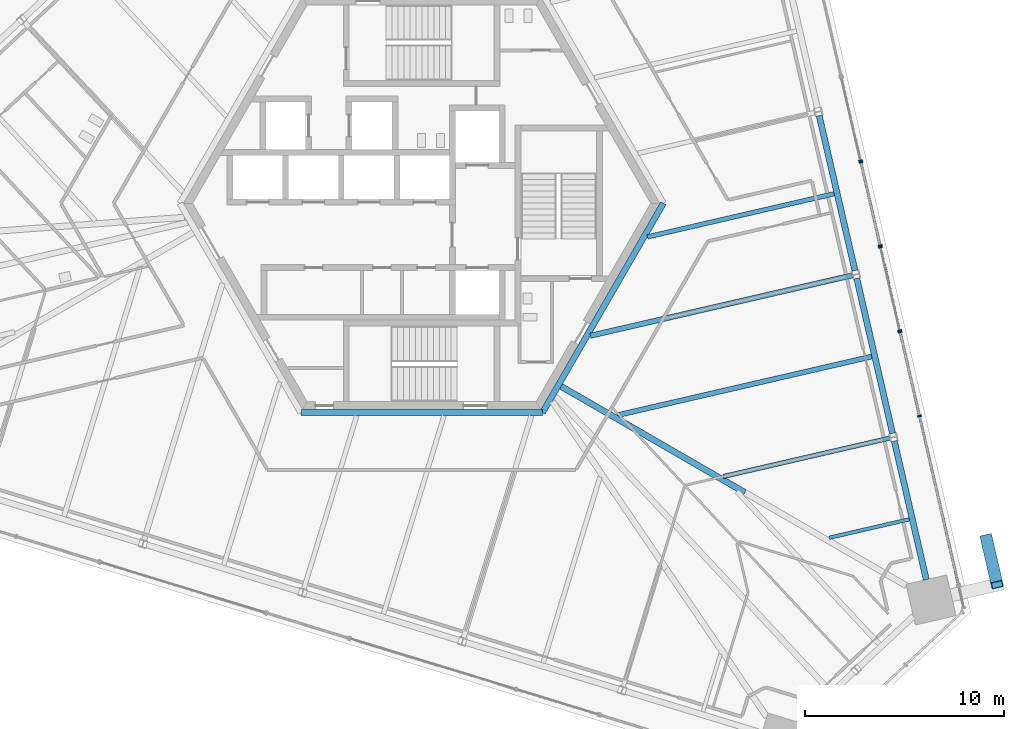
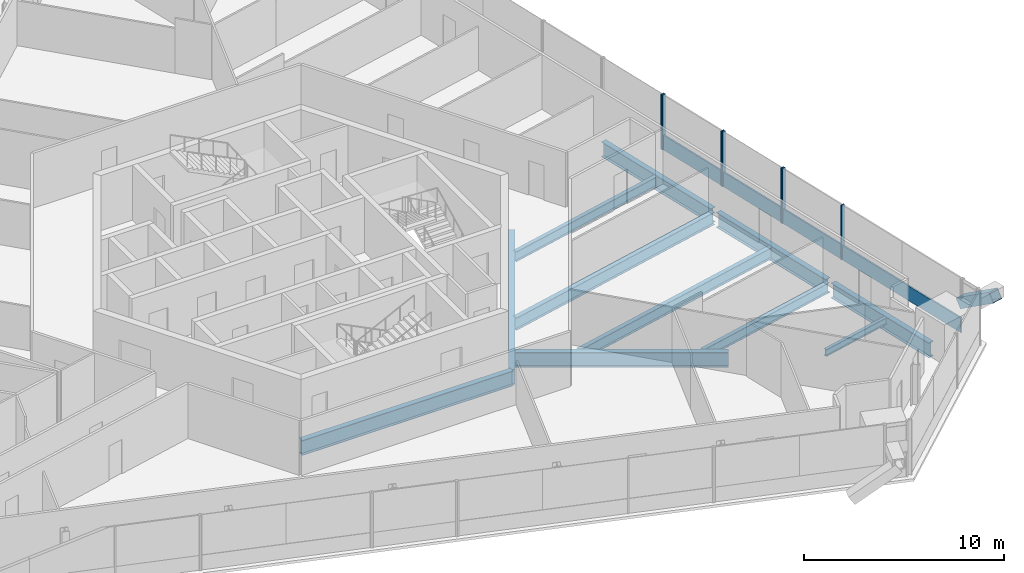
# One storey, part 7 of 25: 12 members, 11 beams, 4 elements without a shape of their own.
"""IFC4 building model written with IfcOpenShell, lengths in metres."""

import ifcopenshell
import ifcopenshell.guid

model = None  # the IFC model being written
_history = None  # IfcOwnerHistory: only IFC2X3 demands one
_inside = {}  # id of a spatial element -> (the spatial element, [elements in it])
_under = {}  # id of a project, library or spatial element -> (it, [spatial elements below it])
_declared = {}  # id of a project -> (the project, [libraries it declares])
_typed = {}  # id of a type object -> (the type object, [elements of that type])
_made_of = {}  # id of a material, layer set ... -> (it, [elements and type objects made of it])


def new_model(schema):
    """Start an empty IFC model of exactly this schema.

    Asked for "IFC4X3", IfcOpenShell would pick the latest addendum, in which some entities
    have other attributes; the version numbers below select the first issue.
    IFC2X3 requires an IfcOwnerHistory on every rooted entity: one is made here for all.
    """
    global model, _history
    if schema == "IFC4X3":
        model = ifcopenshell.file(schema_version=(4, 3, 0, 0))
    else:
        model = ifcopenshell.file(schema=schema)
    _inside.clear()
    _under.clear()
    _declared.clear()
    _typed.clear()
    _made_of.clear()
    _history = None
    if model.schema == "IFC2X3":
        org = make("IfcOrganization", Name="unknown")
        user = make(
            "IfcPersonAndOrganization",
            ThePerson=make("IfcPerson", FamilyName="unknown"),
            TheOrganization=org,
        )
        app = make(
            "IfcApplication",
            ApplicationDeveloper=org,
            Version="unknown",
            ApplicationFullName="unknown",
            ApplicationIdentifier="unknown",
        )
        _history = make(
            "IfcOwnerHistory",
            OwningUser=user,
            OwningApplication=app,
            ChangeAction="ADDED",
            CreationDate=0,
        )
    return model


def make(cls, **values):
    """One entity of the class cls with the attributes given. An attribute that is None is left unset."""
    return model.create_entity(
        cls, **{name: value for name, value in values.items() if value is not None}
    )


def rooted(cls, **values):
    """An entity with a GlobalId (a new one), such as an element, a storey or a relation."""
    return make(cls, GlobalId=ifcopenshell.guid.new(), OwnerHistory=_history, **values)


def si_unit(unit_type, name, prefix=None):
    """IfcSIUnit, for example si_unit("LENGTHUNIT", "METRE", prefix="MILLI")."""
    return make("IfcSIUnit", UnitType=unit_type, Prefix=prefix, Name=name)


def assignment(units):
    """IfcUnitAssignment: the units of a project."""
    return None if units is None else make("IfcUnitAssignment", Units=units)


def point(xyz):
    """IfcCartesianPoint."""
    return None if xyz is None else make("IfcCartesianPoint", Coordinates=xyz)


def direction(xyz):
    """IfcDirection."""
    return None if xyz is None else make("IfcDirection", DirectionRatios=xyz)


def frame(location, z_axis=None, x_axis=None):
    """IfcAxis2Placement3D, a coordinate frame: its origin and axes. An axis left out is left unset."""
    return make(
        "IfcAxis2Placement3D",
        Location=point(location),
        Axis=direction(z_axis),
        RefDirection=direction(x_axis),
    )


def frame_2d(location, x_axis=None):
    """IfcAxis2Placement2D, a coordinate frame in the plane: its origin and x axis."""
    return make(
        "IfcAxis2Placement2D", Location=point(location), RefDirection=direction(x_axis)
    )


def origin():
    """The frame at (0, 0, 0) with its axes left unset."""
    return frame((0.0, 0.0, 0.0))


def origin_2d():
    """The frame at (0, 0) in the plane with its x axis left unset."""
    return frame_2d((0.0, 0.0))


def place(relative_to, where):
    """IfcLocalPlacement: puts the frame where relative to a parent placement (None: the world)."""
    return make(
        "IfcLocalPlacement", PlacementRelTo=relative_to, RelativePlacement=where
    )


def context(
    kind, dimensions, precision=None, world=None, true_north=None, identifier=None
):
    """IfcGeometricRepresentationContext, for example the 3D "Model" context."""
    return make(
        "IfcGeometricRepresentationContext",
        ContextIdentifier=identifier,
        ContextType=kind,
        CoordinateSpaceDimension=dimensions,
        Precision=precision,
        WorldCoordinateSystem=world,
        TrueNorth=true_north,
    )


def subcontext(parent, identifier, kind, view, scale=None):
    """IfcGeometricRepresentationSubContext, for example "Body" below "Model"."""
    return make(
        "IfcGeometricRepresentationSubContext",
        ContextIdentifier=identifier,
        ContextType=kind,
        ParentContext=parent,
        TargetScale=scale,
        TargetView=view,
    )


def project(units=None, contexts=None):
    """IfcProject with its units and contexts."""
    return rooted(
        "IfcProject",
        Name="project",
        RepresentationContexts=contexts,
        UnitsInContext=assignment(units),
    )


def spatial(cls, under=None, at=None, **own):
    """A site, building, storey or space (cls), placed at a placement, below another one or the project."""
    s = rooted(cls, ObjectPlacement=at, **own)
    if under is not None:
        _under.setdefault(under.id(), (under, []))[1].append(s)
    return s


def profile(cls, at=None, kind="AREA", **sizes):
    """A parametric profile (cls). Its sizes go by their IFC names, for example OverallWidth=200.0."""
    return make(cls, ProfileType=kind, Position=at, **sizes)


def rectangle(**sizes):
    """IfcRectangleProfileDef."""
    return profile("IfcRectangleProfileDef", **sizes)


def hollow_rectangle(**sizes):
    """IfcRectangleHollowProfileDef."""
    return profile("IfcRectangleHollowProfileDef", **sizes)


def i_section(**sizes):
    """IfcIShapeProfileDef."""
    return profile("IfcIShapeProfileDef", **sizes)


def extrude(swept, where, along, depth):
    """IfcExtrudedAreaSolid: the profile swept, set in the frame where, extruded along a direction by depth."""
    return make(
        "IfcExtrudedAreaSolid",
        SweptArea=swept,
        Position=where,
        ExtrudedDirection=direction(along),
        Depth=depth,
    )


def shape(context_of_items, identifier, shape_type, items):
    """IfcShapeRepresentation: the items that make up one representation, for example the "Body"."""
    return make(
        "IfcShapeRepresentation",
        ContextOfItems=context_of_items,
        RepresentationIdentifier=identifier,
        RepresentationType=shape_type,
        Items=items,
    )


def source(mapping_origin, context_of_items, identifier, shape_type, items):
    """IfcRepresentationMap: a shape defined once, which mapped items show again and again."""
    return make(
        "IfcRepresentationMap",
        MappingOrigin=mapping_origin,
        MappedRepresentation=shape(context_of_items, identifier, shape_type, items),
    )


def transform(
    local_origin,
    x_axis=None,
    y_axis=None,
    z_axis=None,
    scale=None,
    scale2=None,
    scale3=None,
    uniform=True,
):
    """IfcCartesianTransformationOperator3D, or its non-uniform kind. x_axis, y_axis, z_axis: its Axis1, 2, 3."""
    if uniform:
        return make(
            "IfcCartesianTransformationOperator3D",
            Axis1=direction(x_axis),
            Axis2=direction(y_axis),
            LocalOrigin=point(local_origin),
            Scale=scale,
            Axis3=direction(z_axis),
        )
    return make(
        "IfcCartesianTransformationOperator3DnonUniform",
        Axis1=direction(x_axis),
        Axis2=direction(y_axis),
        LocalOrigin=point(local_origin),
        Scale=scale,
        Axis3=direction(z_axis),
        Scale2=scale2,
        Scale3=scale3,
    )


def mapped(mapping_source, mapping_target):
    """IfcMappedItem: shows the shape of a source again, moved by a transform."""
    return make(
        "IfcMappedItem", MappingSource=mapping_source, MappingTarget=mapping_target
    )


def material(Name=None, Category=None):
    """IfcMaterial."""
    return make("IfcMaterial", Name=Name, Category=Category)


def material_profile(
    of_material, cross_section, Name=None, Category=None, Priority=None
):
    """IfcMaterialProfile: a cross section and its material."""
    return make(
        "IfcMaterialProfile",
        Name=Name,
        Material=of_material,
        Profile=cross_section,
        Priority=Priority,
        Category=Category,
    )


def profile_set(profiles, Name=None, composite=None):
    """IfcMaterialProfileSet."""
    return make(
        "IfcMaterialProfileSet",
        Name=Name,
        MaterialProfiles=profiles,
        CompositeProfile=composite,
    )


def made_of(thing, what):
    """Note that an element or type object is made of a material, layer set ...; save() writes the relation."""
    if what is not None:
        _made_of.setdefault(what.id(), (what, []))[1].append(thing)
    return thing


def type_object(cls, material=None, **own):
    """A type object (cls), such as IfcWallType, which elements share."""
    return made_of(rooted(cls, **own), material)


def element(
    cls,
    number,
    at=None,
    inside=None,
    cuts=None,
    type_object=None,
    material=None,
    context=None,
    identifier="Body",
    shape_type=None,
    held_by="IfcProductDefinitionShape",
    body=None,
    shapes=None,
    **own,
):
    """One element of the class cls, such as IfcWall. Its Tag is "e" and its number.

    at: its placement. inside: the storey or other place that contains it. cuts: it is an
    opening in that element (IfcRelVoidsElement). A single representation is given by context,
    identifier, shape_type and body (its items); several are given by shapes. held_by: the class
    of the entity that holds the representations. save() writes the other relations.
    """
    e = rooted(cls, Tag="e%d" % number, ObjectPlacement=at, **own)
    if body is not None:
        shapes = [shape(context, identifier, shape_type, body)]
    if shapes is not None:
        e.Representation = make(held_by, Representations=shapes)
    if inside is not None:
        _inside.setdefault(inside.id(), (inside, []))[1].append(e)
    if cuts is not None:
        rooted(
            "IfcRelVoidsElement", RelatingBuildingElement=cuts, RelatedOpeningElement=e
        )
    if type_object is not None:
        _typed.setdefault(type_object.id(), (type_object, []))[1].append(e)
    return made_of(e, material)


def aggregate(whole, parts):
    """IfcRelAggregates: a whole, such as a stair, and the parts it consists of."""
    return rooted("IfcRelAggregates", RelatingObject=whole, RelatedObjects=parts)


def save(model, path):
    """Write the relations noted so far, then the file.

    IfcRelAggregates (storeys below a building ...), IfcRelContainedInSpatialStructure (elements
    in a storey), IfcRelDefinesByType, IfcRelAssociatesMaterial and IfcRelDeclares: one each for
    every whole, place, type object, material and project.
    """
    for whole, parts in _under.values():
        aggregate(whole, parts)
    for where, things in _inside.values():
        rooted(
            "IfcRelContainedInSpatialStructure",
            RelatedElements=things,
            RelatingStructure=where,
        )
    for kind, things in _typed.values():
        rooted("IfcRelDefinesByType", RelatedObjects=things, RelatingType=kind)
    for what, things in _made_of.values():
        rooted("IfcRelAssociatesMaterial", RelatedObjects=things, RelatingMaterial=what)
    for by, libraries in _declared.values():
        rooted("IfcRelDeclares", RelatingContext=by, RelatedDefinitions=libraries)
    model.write(path)


model = new_model("IFC4")

# Units and contexts
model_context = context("Model", 3, precision=1e-05, world=origin(), true_north=direction((0.0, 1.0)))
body_context = subcontext(model_context, "Body", "Model", "MODEL_VIEW")
ifc_project = project(units=[si_unit("LENGTHUNIT", "METRE"), si_unit("AREAUNIT", "SQUARE_METRE"), si_unit("VOLUMEUNIT", "CUBIC_METRE"), si_unit("PLANEANGLEUNIT", "RADIAN"), si_unit("MASSUNIT", "GRAM", prefix="KILO")], contexts=[model_context])

# Site, building, storey
site_placement = place(None, origin())
site = spatial("IfcSite", under=ifc_project, at=site_placement, CompositionType="ELEMENT")
building_placement = place(site_placement, origin())
building = spatial("IfcBuilding", under=site, at=building_placement, Name="Triune Harvest Tower", CompositionType="ELEMENT")
storey_placement = place(building_placement, frame((0.0, 0.0, 130.699951171875)))
storey = spatial("IfcBuildingStorey", under=building, at=storey_placement, Name="L33", CompositionType="ELEMENT", Elevation=130.699951171875)

# Beams
ifc_material_1 = material(Name="Steel ASTM A992 Gr 50", Category="steel")
ifc_material_profile_1 = material_profile(ifc_material_1, i_section(OverallWidth=0.3046875, OverallDepth=0.914306640625, WebThickness=0.0166015625, FlangeThickness=0.02587890625, at=origin_2d()), Name="W36x160")
ifc_profile_set_1 = profile_set([ifc_material_profile_1], Name="Steel ASTM A992 Gr 50")
beam_type_1 = type_object("IfcBeamType", Name="CG-1 Core ring girder W36x160", PredefinedType="BEAM", material=ifc_profile_set_1)
shared_shape_1 = source(origin(), body_context, "Body", "SweptSolid", [
    extrude(i_section(OverallWidth=0.3046875, OverallDepth=0.914306640625, WebThickness=0.0166015625, FlangeThickness=0.02587890625, at=origin_2d()), origin(), (0.0, 0.0, 1.0), 12.176025390625),
])
beam_1_placement = place(storey_placement, frame((6.087890625, -10.544677734375, -0.6171875), z_axis=(0.5000099932, 0.866019634131, 0.0), x_axis=(-0.866019634131, 0.5000099932, 0.0)))
element("IfcBeam", 1, at=beam_1_placement, inside=storey, type_object=beam_type_1, Name="beam/L33/CG6", PredefinedType="BEAM", context=body_context, shape_type="MappedRepresentation", body=[
    mapped(shared_shape_1, transform((0.0, 0.0, 0.0), scale=1.0)),
])
shared_shape_2 = source(origin(), body_context, "Body", "SweptSolid", [
    extrude(i_section(OverallWidth=0.3046875, OverallDepth=0.914306640625, WebThickness=0.0166015625, FlangeThickness=0.02587890625, at=origin_2d()), origin(), (0.0, 0.0, 1.0), 12.17578125),
])
beam_2_placement = place(storey_placement, frame((-6.087890625, -10.544677734375, -0.6171875), z_axis=(1.0, 0.0, 0.0), x_axis=(0.0, 1.0, 0.0)))
element("IfcBeam", 2, at=beam_2_placement, inside=storey, type_object=beam_type_1, Name="beam/L33/CG5", PredefinedType="BEAM", context=body_context, shape_type="MappedRepresentation", body=[
    mapped(shared_shape_2, transform((0.0, 0.0, 0.0), scale=1.0)),
])
ifc_material_2 = material(Name="Steel ASTM A992 Gr 50", Category="steel")
ifc_material_profile_2 = material_profile(ifc_material_2, i_section(OverallWidth=0.307373046875, OverallDepth=0.922119140625, WebThickness=0.018310546875, FlangeThickness=0.030029296875, at=origin_2d()), Name="W36x182")
ifc_profile_set_2 = profile_set([ifc_material_profile_2], Name="Steel ASTM A992 Gr 50")
beam_type_2 = type_object("IfcBeamType", Name="HG-2 Hip girder W36x182", PredefinedType="BEAM", material=ifc_profile_set_2)
shared_shape_3 = source(origin(), body_context, "Body", "SweptSolid", [
    extrude(i_section(OverallWidth=0.307373046875, OverallDepth=0.922119140625, WebThickness=0.018310546875, FlangeThickness=0.030029296875, at=origin_2d()), origin(), (0.0, 0.0, 1.0), 10.681640625),
])
beam_3_placement = place(storey_placement, frame((16.27587890625, -14.56640625, -0.620849609375), z_axis=(-0.866023441189, 0.500003399299, 0.0), x_axis=(-0.500003399299, -0.866023441189, 0.0)))
element("IfcBeam", 3, at=beam_3_placement, inside=storey, type_object=beam_type_2, Name="beam/L33/HG2", PredefinedType="BEAM", context=body_context, shape_type="MappedRepresentation", body=[
    mapped(shared_shape_3, transform((0.0, 0.0, 0.0), scale=1.0)),
])
ifc_material_3 = material(Name="Steel ASTM A992 Gr 50", Category="steel")
ifc_material_profile_3 = material_profile(ifc_material_3, i_section(OverallWidth=0.3046875, OverallDepth=0.914306640625, WebThickness=0.0166015625, FlangeThickness=0.02587890625, at=origin_2d()), Name="W36x160")
ifc_profile_set_3 = profile_set([ifc_material_profile_3], Name="Steel ASTM A992 Gr 50")
beam_type_3 = type_object("IfcBeamType", Name="SB-1 Spandrel beam W36x160", PredefinedType="SPANDREL", material=ifc_profile_set_3)
shared_shape_4 = source(origin(), body_context, "Body", "SweptSolid", [
    extrude(i_section(OverallWidth=0.3046875, OverallDepth=0.914306640625, WebThickness=0.0166015625, FlangeThickness=0.02587890625, at=origin_2d()), origin(), (0.0, 0.0, 1.0), 7.166259765625),
])
beam_4_placement = place(storey_placement, frame((25.42236328125, -18.96044921875, -0.6171875), z_axis=(-0.224949077026, 0.974370521283, 0.0), x_axis=(-0.974370521283, -0.224949077026, 0.0)))
element("IfcBeam", 4, at=beam_4_placement, inside=storey, type_object=beam_type_3, Name="beam/L33/SB1", PredefinedType="SPANDREL", context=body_context, shape_type="MappedRepresentation", body=[
    mapped(shared_shape_4, transform((0.0, 0.0, 0.0), scale=1.0)),
])
shared_shape_5 = source(origin(), body_context, "Body", "SweptSolid", [
    extrude(i_section(OverallWidth=0.3046875, OverallDepth=0.914306640625, WebThickness=0.0166015625, FlangeThickness=0.02587890625, at=origin_2d()), origin(), (0.0, 0.0, 1.0), 8.018310546875),
])
beam_5_placement = place(storey_placement, frame((23.72119140625, -11.591796875, -0.6171875), z_axis=(-0.224950679005, 0.974370151439, 0.0), x_axis=(-0.974370151439, -0.224950679005, 0.0)))
element("IfcBeam", 5, at=beam_5_placement, inside=storey, type_object=beam_type_3, Name="beam/L33/SB2", PredefinedType="SPANDREL", context=body_context, shape_type="MappedRepresentation", body=[
    mapped(shared_shape_5, transform((0.0, 0.0, 0.0), scale=1.0)),
])
shared_shape_6 = source(origin(), body_context, "Body", "SweptSolid", [
    extrude(i_section(OverallWidth=0.3046875, OverallDepth=0.914306640625, WebThickness=0.0166015625, FlangeThickness=0.02587890625, at=origin_2d()), origin(), (0.0, 0.0, 1.0), 8.0185546875),
])
beam_6_placement = place(storey_placement, frame((21.828369140625, -3.39306640625, -0.6171875), z_axis=(-0.22494400542, 0.974371692131, 0.0), x_axis=(-0.974371692131, -0.22494400542, 0.0)))
element("IfcBeam", 6, at=beam_6_placement, inside=storey, type_object=beam_type_3, Name="beam/L33/SB3", PredefinedType="SPANDREL", context=body_context, shape_type="MappedRepresentation", body=[
    mapped(shared_shape_6, transform((0.0, 0.0, 0.0), scale=1.0)),
])
ifc_material_4 = material(Name="Steel ASTM A992 Gr 50", Category="steel")
ifc_material_profile_4 = material_profile(ifc_material_4, i_section(OverallWidth=0.180908203125, OverallDepth=0.41650390625, WebThickness=0.010986328125, FlangeThickness=0.01806640625, at=origin_2d()), Name="W16x57")
ifc_profile_set_4 = profile_set([ifc_material_profile_4], Name="Steel ASTM A992 Gr 50")
beam_type_4 = type_object("IfcBeamType", Name="JT-1 Floor joist W16x57", PredefinedType="JOIST", material=ifc_profile_set_4)
shared_shape_7 = source(origin(), body_context, "Body", "SweptSolid", [
    extrude(i_section(OverallWidth=0.180908203125, OverallDepth=0.41650390625, WebThickness=0.010986328125, FlangeThickness=0.01806640625, at=origin_2d()), origin(), (0.0, 0.0, 1.0), 4.1337890625),
])
beam_7_placement = place(storey_placement, frame((24.563720703125, -15.91845703125, -0.3681640625), z_axis=(-0.974368296684, -0.224958712697, 0.0), x_axis=(0.224958712697, -0.974368296684, 0.0)))
element("IfcBeam", 7, at=beam_7_placement, inside=storey, type_object=beam_type_4, Name="beam/L33/JT1", PredefinedType="JOIST", context=body_context, shape_type="MappedRepresentation", body=[
    mapped(shared_shape_7, transform((0.0, 0.0, 0.0), scale=1.0)),
])
ifc_material_5 = material(Name="Steel ASTM A992 Gr 50", Category="steel")
ifc_material_profile_5 = material_profile(ifc_material_5, i_section(OverallWidth=0.22900390625, OverallDepth=0.612060546875, WebThickness=0.011962890625, FlangeThickness=0.01953125, at=origin_2d()), Name="W24x84")
ifc_profile_set_5 = profile_set([ifc_material_profile_5], Name="Steel ASTM A992 Gr 50")
beam_type_5 = type_object("IfcBeamType", Name="JT-3 Floor joist W24x84", PredefinedType="JOIST", material=ifc_profile_set_5)
shared_shape_8 = source(origin(), body_context, "Body", "SweptSolid", [
    extrude(i_section(OverallWidth=0.22900390625, OverallDepth=0.612060546875, WebThickness=0.011962890625, FlangeThickness=0.01953125, at=origin_2d()), origin(), (0.0, 0.0, 1.0), 8.607421875),
])
beam_8_placement = place(storey_placement, frame((23.580078125, -11.82763671875, -0.466064453125), z_axis=(-0.97436872252, -0.224956868255, 0.0), x_axis=(0.224956868255, -0.97436872252, 0.0)))
element("IfcBeam", 8, at=beam_8_placement, inside=storey, type_object=beam_type_5, Name="beam/L33/JT2", PredefinedType="JOIST", context=body_context, shape_type="MappedRepresentation", body=[
    mapped(shared_shape_8, transform((0.0, 0.0, 0.0), scale=1.0)),
])
ifc_material_6 = material(Name="Steel ASTM A992 Gr 50", Category="steel")
ifc_material_profile_6 = material_profile(ifc_material_6, i_section(OverallWidth=0.253662109375, OverallDepth=0.683349609375, WebThickness=0.012451171875, FlangeThickness=0.01904296875, at=origin_2d()), Name="W27x94")
ifc_profile_set_6 = profile_set([ifc_material_profile_6], Name="Steel ASTM A992 Gr 50")
beam_type_6 = type_object("IfcBeamType", Name="JT-4 Floor joist W27x94", PredefinedType="JOIST", material=ifc_profile_set_6)
shared_shape_9 = source(origin(), body_context, "Body", "SweptSolid", [
    extrude(i_section(OverallWidth=0.253662109375, OverallDepth=0.683349609375, WebThickness=0.012451171875, FlangeThickness=0.01904296875, at=origin_2d()), origin(), (0.0, 0.0, 1.0), 13.1572265625),
])
beam_9_placement = place(storey_placement, frame((22.6708984375, -7.7197265625, -0.50146484375), z_axis=(-0.974370551145, -0.224948947678, 0.0), x_axis=(0.224948947678, -0.974370551145, 0.0)))
element("IfcBeam", 9, at=beam_9_placement, inside=storey, type_object=beam_type_6, Name="beam/L33/JT3", PredefinedType="JOIST", context=body_context, shape_type="MappedRepresentation", body=[
    mapped(shared_shape_9, transform((0.0, 0.0, 0.0), scale=1.0)),
])
ifc_material_7 = material(Name="Steel ASTM A992 Gr 50", Category="steel")
ifc_material_profile_7 = material_profile(ifc_material_7, i_section(OverallWidth=0.2666015625, OverallDepth=0.7568359375, WebThickness=0.013916015625, FlangeThickness=0.019287109375, at=origin_2d()), Name="W30x108")
ifc_profile_set_7 = profile_set([ifc_material_profile_7], Name="Steel ASTM A992 Gr 50")
beam_type_7 = type_object("IfcBeamType", Name="JT-5 Floor joist W30x108", PredefinedType="JOIST", material=ifc_profile_set_7)
shared_shape_10 = source(origin(), body_context, "Body", "SweptSolid", [
    extrude(i_section(OverallWidth=0.2666015625, OverallDepth=0.7568359375, WebThickness=0.013916015625, FlangeThickness=0.019287109375, at=origin_2d()), origin(), (0.0, 0.0, 1.0), 13.535400390625),
])
beam_10_placement = place(storey_placement, frame((21.687255859375, -3.62890625, -0.538330078125), z_axis=(-0.974372040253, -0.224942497482, 0.0), x_axis=(0.224942497482, -0.974372040253, 0.0)))
element("IfcBeam", 10, at=beam_10_placement, inside=storey, type_object=beam_type_7, Name="beam/L33/JT4", PredefinedType="JOIST", context=body_context, shape_type="MappedRepresentation", body=[
    mapped(shared_shape_10, transform((0.0, 0.0, 0.0), scale=1.0)),
])
shared_shape_11 = source(origin(), body_context, "Body", "SweptSolid", [
    extrude(i_section(OverallWidth=0.22900390625, OverallDepth=0.612060546875, WebThickness=0.011962890625, FlangeThickness=0.01953125, at=origin_2d()), origin(), (0.0, 0.0, 1.0), 9.650146484375),
])
beam_11_placement = place(storey_placement, frame((20.778076171875, 0.47900390625, -0.466064453125), z_axis=(-0.974373710713, -0.224935261514, 0.0), x_axis=(0.224935261514, -0.974373710713, 0.0)))
element("IfcBeam", 11, at=beam_11_placement, inside=storey, type_object=beam_type_5, Name="beam/L33/JT5", PredefinedType="JOIST", context=body_context, shape_type="MappedRepresentation", body=[
    mapped(shared_shape_11, transform((0.0, 0.0, 0.0), scale=1.0)),
])

# Member
ifc_material_8 = material(Name="Steel ASTM A572 Gr 50", Category="steel")
ifc_material_profile_8 = material_profile(ifc_material_8, hollow_rectangle(XDim=0.60009765625, YDim=0.60009765625, WallThickness=0.0400390625, at=origin_2d()), Name="Box 600x600x40")
ifc_profile_set_8 = profile_set([ifc_material_profile_8], Name="Steel ASTM A572 Gr 50")
member_type_1 = type_object("IfcMemberType", Name="BR-2 Brace Box 600x600x40", PredefinedType="BRACE", material=ifc_profile_set_8)
shared_shape_12 = source(origin(), body_context, "Body", "SweptSolid", [
    extrude(hollow_rectangle(XDim=0.60009765625, YDim=0.60009765625, WallThickness=0.0400390625, at=origin_2d()), origin(), (0.0, 0.0, 1.0), 2.8935546875),
])
member_1_placement = place(storey_placement, frame((28.4453125, -16.856689453125, 0.0), z_axis=(0.188151243322, -0.814872066368, 0.548254161033), x_axis=(0.974363983154, 0.224977395158, 0.0)))
element("IfcMember", 12, at=member_1_placement, inside=storey, type_object=member_type_1, Name="brace/B3-F1/d2/10", PredefinedType="BRACE", context=body_context, shape_type="MappedRepresentation", body=[
    mapped(shared_shape_12, transform((0.0, 0.0, 0.0), scale=1.0)),
])

# Curtain wall, members
ifc_material_9 = material(Name="Aluminium bronze anodised", Category="aluminium")
curtain_wall_type_1 = type_object("IfcCurtainWallType", Name="CW-7 Tower stick curtain wall with insulated spandrel infill", PredefinedType="NOTDEFINED", material=ifc_material_9)
curtain_wall_1_placement = place(storey_placement, origin())
curtain_wall_1 = element("IfcCurtainWall", 13, at=curtain_wall_1_placement, inside=storey, type_object=curtain_wall_type_1, Name="CW-7 B3-F1 L33 run 201")
ifc_material_10 = material(Name="Aluminium bronze anodised", Category="aluminium")
ifc_material_profile_9 = material_profile(ifc_material_10, rectangle(XDim=0.199951171875, YDim=0.074951171875, at=origin_2d()), Name="MU-1 mullion 75 x 200")
ifc_profile_set_9 = profile_set([ifc_material_profile_9], Name="Aluminium bronze anodised")
member_type_2 = type_object("IfcMemberType", Name="MU-1 mullion 75 x 200", PredefinedType="MULLION", material=ifc_profile_set_9)
shared_shape_13 = source(origin(), body_context, "Body", "SweptSolid", [
    extrude(rectangle(XDim=0.199951171875, YDim=0.074951171875, at=origin_2d()), origin(), (0.0, 0.0, 1.0), 3.35009765625),
])
member_2_placement = place(storey_placement, frame((25.078125, -10.718017578125, 0.0), z_axis=(0.0, 0.0, 1.0), x_axis=(-0.974370444767, -0.224949408455, 0.0)))
member_2 = element("IfcMember", 14, at=member_2_placement, type_object=member_type_2, Name="CW-7 mullion B3-F1 201.3", PredefinedType="MULLION", context=body_context, shape_type="MappedRepresentation", body=[
    mapped(shared_shape_13, transform((0.0, 0.0, 0.0), scale=1.0)),
])
member_3_placement = place(storey_placement, frame((24.099853515625, -6.480224609375, 0.0), z_axis=(0.0, 0.0, 1.0), x_axis=(-0.974370444767, -0.224949408455, 0.0)))
member_3 = element("IfcMember", 15, at=member_3_placement, type_object=member_type_2, Name="CW-7 mullion B3-F1 201.4", PredefinedType="MULLION", context=body_context, shape_type="MappedRepresentation", body=[
    mapped(shared_shape_13, transform((0.0, 0.0, 0.0), scale=1.0)),
])

ifc_material_11 = material(Name="Aluminium bronze anodised", Category="aluminium")
curtain_wall_type_2 = type_object("IfcCurtainWallType", Name="CW-1 Tower stick curtain wall", PredefinedType="NOTDEFINED", material=ifc_material_11)
curtain_wall_2_placement = place(storey_placement, origin())
curtain_wall_2 = element("IfcCurtainWall", 16, at=curtain_wall_2_placement, inside=storey, type_object=curtain_wall_type_2, Name="CW-1 B3-F1 L33 run 1201")
member_4_placement = place(storey_placement, frame((24.082763671875, -6.4072265625, 0.0), z_axis=(0.0, 0.0, 1.0), x_axis=(-0.974370060254, -0.224951073969, 0.0)))
member_4 = element("IfcMember", 17, at=member_4_placement, type_object=member_type_2, Name="CW-1 mullion B3-F1 1201.1", PredefinedType="MULLION", context=body_context, shape_type="MappedRepresentation", body=[
    mapped(shared_shape_13, transform((0.0, 0.0, 0.0), scale=1.0)),
])
member_5_placement = place(storey_placement, frame((23.113037109375, -2.2060546875, 0.0), z_axis=(0.0, 0.0, 1.0), x_axis=(-0.974370060254, -0.224951073969, 0.0)))
member_5 = element("IfcMember", 18, at=member_5_placement, type_object=member_type_2, Name="CW-1 mullion B3-F1 1201.2", PredefinedType="MULLION", context=body_context, shape_type="MappedRepresentation", body=[
    mapped(shared_shape_13, transform((0.0, 0.0, 0.0), scale=1.0)),
])

curtain_wall_3_placement = place(storey_placement, origin())
curtain_wall_3 = element("IfcCurtainWall", 19, at=curtain_wall_3_placement, inside=storey, type_object=curtain_wall_type_1, Name="CW-7 B3-F1 L33 run 2201")
member_6_placement = place(storey_placement, frame((23.095947265625, -2.133056640625, 0.0), z_axis=(0.0, 0.0, 1.0), x_axis=(-0.974370060254, -0.224951073969, 0.0)))
member_6 = element("IfcMember", 20, at=member_6_placement, type_object=member_type_2, Name="CW-7 mullion B3-F1 2201.1", PredefinedType="MULLION", context=body_context, shape_type="MappedRepresentation", body=[
    mapped(shared_shape_13, transform((0.0, 0.0, 0.0), scale=1.0)),
])
member_7_placement = place(storey_placement, frame((22.126220703125, 2.068359375, 0.0), z_axis=(0.0, 0.0, 1.0), x_axis=(-0.974370060254, -0.224951073969, 0.0)))
member_7 = element("IfcMember", 21, at=member_7_placement, type_object=member_type_2, Name="CW-7 mullion B3-F1 2201.2", PredefinedType="MULLION", context=body_context, shape_type="MappedRepresentation", body=[
    mapped(shared_shape_13, transform((0.0, 0.0, 0.0), scale=1.0)),
])

# Curtain wall, member
curtain_wall_4_placement = place(storey_placement, origin())
curtain_wall_4 = element("IfcCurtainWall", 22, at=curtain_wall_4_placement, inside=storey, type_object=curtain_wall_type_2, Name="CW-1 B3-F1 L33 run 3201")
member_8_placement = place(storey_placement, frame((22.109375, 2.141357421875, 0.0), z_axis=(0.0, 0.0, 1.0), x_axis=(-0.974366217206, -0.224967719392, 0.0)))
member_8 = element("IfcMember", 23, at=member_8_placement, type_object=member_type_2, Name="CW-1 mullion B3-F1 3201.1", PredefinedType="MULLION", context=body_context, shape_type="MappedRepresentation", body=[
    mapped(shared_shape_13, transform((0.0, 0.0, 0.0), scale=1.0)),
])
aggregate(curtain_wall_4, [member_8])

# Member
ifc_material_12 = material(Name="Aluminium bronze anodised", Category="aluminium")
ifc_material_profile_10 = material_profile(ifc_material_12, rectangle(XDim=0.090087890625, YDim=0.89990234375, at=origin_2d()), Name="TR-1 transom 90 x 900")
ifc_profile_set_10 = profile_set([ifc_material_profile_10], Name="Aluminium bronze anodised")
member_type_3 = type_object("IfcMemberType", Name="TR-1 transom 90 x 900", PredefinedType="USERDEFINED", material=ifc_profile_set_10)
shared_shape_14 = source(origin(), body_context, "Body", "SweptSolid", [
    extrude(rectangle(XDim=0.090087890625, YDim=0.89990234375, at=origin_2d()), origin(), (0.0, 0.0, 1.0), 8.660888671875),
])
member_9_placement = place(storey_placement, frame((27.034912109375, -19.193603515625, 0.449951171875), z_axis=(-0.224972734427, 0.97436505929, 0.0), x_axis=(-0.97436505929, -0.224972734427, 0.0)))
member_9 = element("IfcMember", 24, at=member_9_placement, type_object=member_type_3, Name="CW-7 transom B3-F1 201.1", ObjectType="TRANSOM", PredefinedType="USERDEFINED", context=body_context, shape_type="MappedRepresentation", body=[
    mapped(shared_shape_14, transform((0.0, 0.0, 0.0), scale=1.0)),
])

shared_shape_15 = source(origin(), body_context, "Body", "SweptSolid", [
    extrude(rectangle(XDim=0.090087890625, YDim=0.89990234375, at=origin_2d()), origin(), (0.0, 0.0, 1.0), 4.2744140625),
])
member_10_placement = place(storey_placement, frame((25.069580078125, -10.681640625, 0.449951171875), z_axis=(-0.224930422189, 0.974374827863, 0.0), x_axis=(-0.974374827863, -0.224930422189, 0.0)))
member_10 = element("IfcMember", 25, at=member_10_placement, type_object=member_type_3, Name="CW-7 transom B3-F1 201.2", ObjectType="TRANSOM", PredefinedType="USERDEFINED", context=body_context, shape_type="MappedRepresentation", body=[
    mapped(shared_shape_15, transform((0.0, 0.0, 0.0), scale=1.0)),
])

aggregate(curtain_wall_1, [member_2, member_3, member_9, member_10])

shared_shape_16 = source(origin(), body_context, "Body", "SweptSolid", [
    extrude(rectangle(XDim=0.090087890625, YDim=0.89990234375, at=origin_2d()), origin(), (0.0, 0.0, 1.0), 4.236572265625),
])
member_11_placement = place(storey_placement, frame((24.074462890625, -6.37060546875, 0.449951171875), z_axis=(-0.224977349839, 0.974363993618, 0.0), x_axis=(-0.974363993618, -0.224977349839, 0.0)))
member_11 = element("IfcMember", 26, at=member_11_placement, type_object=member_type_3, Name="CW-1 transom B3-F1 1201.1", ObjectType="TRANSOM", PredefinedType="USERDEFINED", context=body_context, shape_type="MappedRepresentation", body=[
    mapped(shared_shape_16, transform((0.0, 0.0, 0.0), scale=1.0)),
])

aggregate(curtain_wall_2, [member_4, member_5, member_11])

shared_shape_17 = source(origin(), body_context, "Body", "SweptSolid", [
    extrude(rectangle(XDim=0.090087890625, YDim=0.89990234375, at=origin_2d()), origin(), (0.0, 0.0, 1.0), 4.23681640625),
])
member_12_placement = place(storey_placement, frame((23.087646484375, -2.096435546875, 0.449951171875), z_axis=(-0.224964718038, 0.974366910172, 0.0), x_axis=(-0.974366910172, -0.224964718038, 0.0)))
member_12 = element("IfcMember", 27, at=member_12_placement, type_object=member_type_3, Name="CW-7 transom B3-F1 2201.1", ObjectType="TRANSOM", PredefinedType="USERDEFINED", context=body_context, shape_type="MappedRepresentation", body=[
    mapped(shared_shape_17, transform((0.0, 0.0, 0.0), scale=1.0)),
])

aggregate(curtain_wall_3, [member_6, member_7, member_12])

save(model, "model.ifc")
